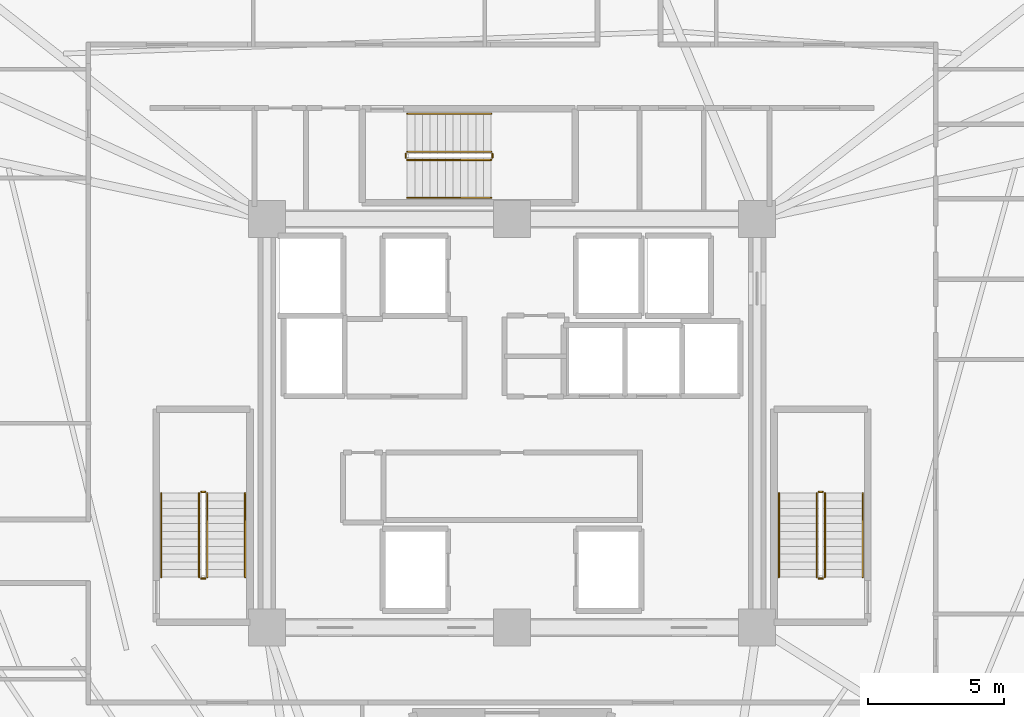
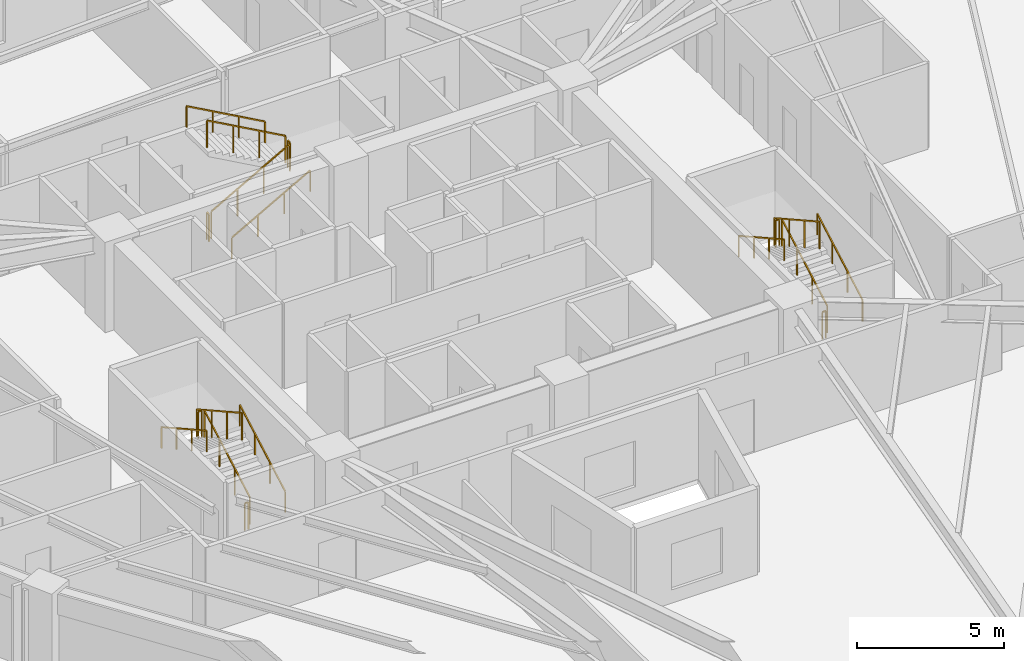
# One storey, part 8 of 8: 18 railings.
"""IFC4 building model written with IfcOpenShell, lengths in metres."""

from ifc_helpers import new_model, si_unit, direction, frame, origin, origin_2d, place, context, subcontext, project, spatial, rectangle, extrude, material, type_object, element, save


model = new_model("IFC4")

# Units and contexts
model_context = context("Model", 3, precision=1e-05, world=origin(), true_north=direction((0.0, 1.0)))
body_context = subcontext(model_context, "Body", "Model", "MODEL_VIEW")
ifc_project = project(units=[si_unit("LENGTHUNIT", "METRE"), si_unit("AREAUNIT", "SQUARE_METRE"), si_unit("VOLUMEUNIT", "CUBIC_METRE"), si_unit("PLANEANGLEUNIT", "RADIAN"), si_unit("MASSUNIT", "GRAM", prefix="KILO")], contexts=[model_context])

# Site, building, storey
site_placement = place(None, origin())
site = spatial("IfcSite", under=ifc_project, at=site_placement, CompositionType="ELEMENT")
building_placement = place(site_placement, origin())
building = spatial("IfcBuilding", under=site, at=building_placement, Name="Liaohun Quay Tower", CompositionType="ELEMENT")
storey_placement = place(building_placement, frame((0.0, 0.0, 255.0)))
storey = spatial("IfcBuildingStorey", under=building, at=storey_placement, Name="L66", CompositionType="ELEMENT", Elevation=255.0)

# Railings
ifc_material_1 = material(Name="Painted tubular steel", Category="steel")
railing_type_1 = type_object("IfcRailingType", Name="RLG-GUARD-STR", PredefinedType="GUARDRAIL", material=ifc_material_1)
railing_1_placement = place(storey_placement, frame((48.81005859375, 48.35009765625, 0.15625)))
element("IfcRailing", 1, at=railing_1_placement, inside=storey, type_object=railing_type_1, Name="L66 ST-1 stair guard 1", PredefinedType="GUARDRAIL", context=body_context, shape_type="SweptSolid", body=[
    extrude(rectangle(XDim=0.048095703125, YDim=0.048095703125, at=origin_2d()), frame((0.0, 0.0, 1.1259765625), z_axis=(0.0, 0.873225103656, 0.487317061414), x_axis=(-1.0, 0.0, 0.0)), (0.0, 0.0, 1.0), 3.52685546875),
    extrude(rectangle(XDim=0.0419921875, YDim=0.0419921875, at=origin_2d()), origin(), (0.0, 0.0, 1.0), 1.101806640625),
    extrude(rectangle(XDim=0.0419921875, YDim=0.0419921875, at=origin_2d()), frame((0.0, 1.026611328125, 0.572998046875)), (0.0, 0.0, 1.0), 1.101806640625),
    extrude(rectangle(XDim=0.0419921875, YDim=0.0419921875, at=origin_2d()), frame((0.0, 2.05322265625, 1.145751953125)), (0.0, 0.0, 1.0), 1.101806640625),
    extrude(rectangle(XDim=0.0419921875, YDim=0.0419921875, at=origin_2d()), frame((0.0, 3.079833984375, 1.71875)), (0.0, 0.0, 1.0), 1.101806640625),
])
railing_2_placement = place(storey_placement, frame((48.72998046875, 51.47998046875, 1.875)))
element("IfcRailing", 2, at=railing_2_placement, inside=storey, type_object=railing_type_1, Name="L66 ST-1 stair guard 2", PredefinedType="GUARDRAIL", context=body_context, shape_type="SweptSolid", body=[
    extrude(rectangle(XDim=0.048095703125, YDim=0.048095703125, at=origin_2d()), frame((0.0, 0.0, 1.1259765625), z_axis=(-1.0, 0.0, 0.0), x_axis=(0.0, -1.0, 0.0)), (0.0, 0.0, 1.0), 0.139892578125),
    extrude(rectangle(XDim=0.0419921875, YDim=0.0419921875, at=origin_2d()), origin(), (0.0, 0.0, 1.0), 1.101806640625),
    extrude(rectangle(XDim=0.0419921875, YDim=0.0419921875, at=origin_2d()), frame((-0.139892578125, 0.0, 0.0)), (0.0, 0.0, 1.0), 1.101806640625),
])
railing_3_placement = place(storey_placement, frame((48.510009765625, 51.429931640625, 2.03125)))
element("IfcRailing", 3, at=railing_3_placement, inside=storey, type_object=railing_type_1, Name="L66 ST-1 stair guard 3", PredefinedType="GUARDRAIL", context=body_context, shape_type="SweptSolid", body=[
    extrude(rectangle(XDim=0.048095703125, YDim=0.048095703125, at=origin_2d()), frame((0.0, 0.0, 1.1259765625), z_axis=(0.0, -0.873225103656, 0.487317061414), x_axis=(1.0, 0.0, 0.0)), (0.0, 0.0, 1.0), 3.52685546875),
    extrude(rectangle(XDim=0.0419921875, YDim=0.0419921875, at=origin_2d()), origin(), (0.0, 0.0, 1.0), 1.101806640625),
    extrude(rectangle(XDim=0.0419921875, YDim=0.0419921875, at=origin_2d()), frame((0.0, -1.026611328125, 0.572998046875)), (0.0, 0.0, 1.0), 1.101806640625),
    extrude(rectangle(XDim=0.0419921875, YDim=0.0419921875, at=origin_2d()), frame((0.0, -2.05322265625, 1.145751953125)), (0.0, 0.0, 1.0), 1.101806640625),
    extrude(rectangle(XDim=0.0419921875, YDim=0.0419921875, at=origin_2d()), frame((0.0, -3.079833984375, 1.71875)), (0.0, 0.0, 1.0), 1.101806640625),
])
railing_4_placement = place(storey_placement, frame((48.72998046875, 48.300048828125, 0.0)))
element("IfcRailing", 4, at=railing_4_placement, inside=storey, type_object=railing_type_1, Name="L66 ST-1 stair guard 4", PredefinedType="GUARDRAIL", context=body_context, shape_type="SweptSolid", body=[
    extrude(rectangle(XDim=0.048095703125, YDim=0.048095703125, at=origin_2d()), frame((0.0, 0.0, 1.1259765625), z_axis=(-1.0, 0.0, 0.0), x_axis=(0.0, -1.0, 0.0)), (0.0, 0.0, 1.0), 0.139892578125),
    extrude(rectangle(XDim=0.0419921875, YDim=0.0419921875, at=origin_2d()), origin(), (0.0, 0.0, 1.0), 1.101806640625),
    extrude(rectangle(XDim=0.0419921875, YDim=0.0419921875, at=origin_2d()), frame((-0.139892578125, 0.0, 0.0)), (0.0, 0.0, 1.0), 1.101806640625),
])
railing_5_placement = place(storey_placement, frame((71.489990234375, 48.35009765625, 0.15625)))
element("IfcRailing", 5, at=railing_5_placement, inside=storey, type_object=railing_type_1, Name="L66 ST-2 stair guard 1", PredefinedType="GUARDRAIL", context=body_context, shape_type="SweptSolid", body=[
    extrude(rectangle(XDim=0.048095703125, YDim=0.048095703125, at=origin_2d()), frame((0.0, 0.0, 1.1259765625), z_axis=(0.0, 0.873225103656, 0.487317061414), x_axis=(-1.0, 0.0, 0.0)), (0.0, 0.0, 1.0), 3.52685546875),
    extrude(rectangle(XDim=0.0419921875, YDim=0.0419921875, at=origin_2d()), origin(), (0.0, 0.0, 1.0), 1.101806640625),
    extrude(rectangle(XDim=0.0419921875, YDim=0.0419921875, at=origin_2d()), frame((0.0, 1.026611328125, 0.572998046875)), (0.0, 0.0, 1.0), 1.101806640625),
    extrude(rectangle(XDim=0.0419921875, YDim=0.0419921875, at=origin_2d()), frame((0.0, 2.05322265625, 1.145751953125)), (0.0, 0.0, 1.0), 1.101806640625),
    extrude(rectangle(XDim=0.0419921875, YDim=0.0419921875, at=origin_2d()), frame((0.0, 3.079833984375, 1.71875)), (0.0, 0.0, 1.0), 1.101806640625),
])
railing_6_placement = place(storey_placement, frame((71.409912109375, 51.47998046875, 1.875)))
element("IfcRailing", 6, at=railing_6_placement, inside=storey, type_object=railing_type_1, Name="L66 ST-2 stair guard 2", PredefinedType="GUARDRAIL", context=body_context, shape_type="SweptSolid", body=[
    extrude(rectangle(XDim=0.048095703125, YDim=0.048095703125, at=origin_2d()), frame((0.0, 0.0, 1.1259765625), z_axis=(-1.0, 0.0, 0.0), x_axis=(0.0, -1.0, 0.0)), (0.0, 0.0, 1.0), 0.139892578125),
    extrude(rectangle(XDim=0.0419921875, YDim=0.0419921875, at=origin_2d()), origin(), (0.0, 0.0, 1.0), 1.101806640625),
    extrude(rectangle(XDim=0.0419921875, YDim=0.0419921875, at=origin_2d()), frame((-0.139892578125, 0.0, 0.0)), (0.0, 0.0, 1.0), 1.101806640625),
])
railing_7_placement = place(storey_placement, frame((71.18994140625, 51.429931640625, 2.03125)))
element("IfcRailing", 7, at=railing_7_placement, inside=storey, type_object=railing_type_1, Name="L66 ST-2 stair guard 3", PredefinedType="GUARDRAIL", context=body_context, shape_type="SweptSolid", body=[
    extrude(rectangle(XDim=0.048095703125, YDim=0.048095703125, at=origin_2d()), frame((0.0, 0.0, 1.1259765625), z_axis=(0.0, -0.873225103656, 0.487317061414), x_axis=(1.0, 0.0, 0.0)), (0.0, 0.0, 1.0), 3.52685546875),
    extrude(rectangle(XDim=0.0419921875, YDim=0.0419921875, at=origin_2d()), origin(), (0.0, 0.0, 1.0), 1.101806640625),
    extrude(rectangle(XDim=0.0419921875, YDim=0.0419921875, at=origin_2d()), frame((0.0, -1.026611328125, 0.572998046875)), (0.0, 0.0, 1.0), 1.101806640625),
    extrude(rectangle(XDim=0.0419921875, YDim=0.0419921875, at=origin_2d()), frame((0.0, -2.05322265625, 1.145751953125)), (0.0, 0.0, 1.0), 1.101806640625),
    extrude(rectangle(XDim=0.0419921875, YDim=0.0419921875, at=origin_2d()), frame((0.0, -3.079833984375, 1.71875)), (0.0, 0.0, 1.0), 1.101806640625),
])
railing_8_placement = place(storey_placement, frame((71.409912109375, 48.300048828125, 0.0)))
element("IfcRailing", 8, at=railing_8_placement, inside=storey, type_object=railing_type_1, Name="L66 ST-2 stair guard 4", PredefinedType="GUARDRAIL", context=body_context, shape_type="SweptSolid", body=[
    extrude(rectangle(XDim=0.048095703125, YDim=0.048095703125, at=origin_2d()), frame((0.0, 0.0, 1.1259765625), z_axis=(-1.0, 0.0, 0.0), x_axis=(0.0, -1.0, 0.0)), (0.0, 0.0, 1.0), 0.139892578125),
    extrude(rectangle(XDim=0.0419921875, YDim=0.0419921875, at=origin_2d()), origin(), (0.0, 0.0, 1.0), 1.101806640625),
    extrude(rectangle(XDim=0.0419921875, YDim=0.0419921875, at=origin_2d()), frame((-0.139892578125, 0.0, 0.0)), (0.0, 0.0, 1.0), 1.101806640625),
])
railing_9_placement = place(storey_placement, frame((56.14990234375, 63.669921875, 0.15625)))
element("IfcRailing", 9, at=railing_9_placement, inside=storey, type_object=railing_type_1, Name="L66 ST-3 stair guard 1", PredefinedType="GUARDRAIL", context=body_context, shape_type="SweptSolid", body=[
    extrude(rectangle(XDim=0.048095703125, YDim=0.048095703125, at=origin_2d()), frame((0.0, 0.0, 1.1259765625), z_axis=(0.873241540666, 0.0, 0.487287606713), x_axis=(0.0, 1.0, 0.0)), (0.0, 0.0, 1.0), 3.527099609375),
    extrude(rectangle(XDim=0.0419921875, YDim=0.0419921875, at=origin_2d()), origin(), (0.0, 0.0, 1.0), 1.101806640625),
    extrude(rectangle(XDim=0.0419921875, YDim=0.0419921875, at=origin_2d()), frame((1.026611328125, 0.0, 0.572998046875)), (0.0, 0.0, 1.0), 1.101806640625),
    extrude(rectangle(XDim=0.0419921875, YDim=0.0419921875, at=origin_2d()), frame((2.053466796875, 0.0, 1.145751953125)), (0.0, 0.0, 1.0), 1.101806640625),
    extrude(rectangle(XDim=0.0419921875, YDim=0.0419921875, at=origin_2d()), frame((3.080078125, 0.0, 1.71875)), (0.0, 0.0, 1.0), 1.101806640625),
])
railing_10_placement = place(storey_placement, frame((59.280029296875, 63.75, 1.875)))
element("IfcRailing", 10, at=railing_10_placement, inside=storey, type_object=railing_type_1, Name="L66 ST-3 stair guard 2", PredefinedType="GUARDRAIL", context=body_context, shape_type="SweptSolid", body=[
    extrude(rectangle(XDim=0.048095703125, YDim=0.048095703125, at=origin_2d()), frame((0.0, 0.0, 1.1259765625), z_axis=(0.0, 1.0, 0.0), x_axis=(-1.0, 0.0, 0.0)), (0.0, 0.0, 1.0), 0.139892578125),
    extrude(rectangle(XDim=0.0419921875, YDim=0.0419921875, at=origin_2d()), origin(), (0.0, 0.0, 1.0), 1.101806640625),
    extrude(rectangle(XDim=0.0419921875, YDim=0.0419921875, at=origin_2d()), frame((0.0, 0.139892578125, 0.0)), (0.0, 0.0, 1.0), 1.101806640625),
])
railing_11_placement = place(storey_placement, frame((59.22998046875, 63.969970703125, 2.03125)))
element("IfcRailing", 11, at=railing_11_placement, inside=storey, type_object=railing_type_1, Name="L66 ST-3 stair guard 3", PredefinedType="GUARDRAIL", context=body_context, shape_type="SweptSolid", body=[
    extrude(rectangle(XDim=0.048095703125, YDim=0.048095703125, at=origin_2d()), frame((0.0, 0.0, 1.1259765625), z_axis=(-0.873241540666, 0.0, 0.487287606713), x_axis=(0.0, -1.0, 0.0)), (0.0, 0.0, 1.0), 3.527099609375),
    extrude(rectangle(XDim=0.0419921875, YDim=0.0419921875, at=origin_2d()), origin(), (0.0, 0.0, 1.0), 1.101806640625),
    extrude(rectangle(XDim=0.0419921875, YDim=0.0419921875, at=origin_2d()), frame((-1.026611328125, 0.0, 0.572998046875)), (0.0, 0.0, 1.0), 1.101806640625),
    extrude(rectangle(XDim=0.0419921875, YDim=0.0419921875, at=origin_2d()), frame((-2.053466796875, 0.0, 1.145751953125)), (0.0, 0.0, 1.0), 1.101806640625),
    extrude(rectangle(XDim=0.0419921875, YDim=0.0419921875, at=origin_2d()), frame((-3.080078125, 0.0, 1.71875)), (0.0, 0.0, 1.0), 1.101806640625),
])
railing_12_placement = place(storey_placement, frame((56.10009765625, 63.75, 0.0)))
element("IfcRailing", 12, at=railing_12_placement, inside=storey, type_object=railing_type_1, Name="L66 ST-3 stair guard 4", PredefinedType="GUARDRAIL", context=body_context, shape_type="SweptSolid", body=[
    extrude(rectangle(XDim=0.048095703125, YDim=0.048095703125, at=origin_2d()), frame((0.0, 0.0, 1.1259765625), z_axis=(0.0, 1.0, 0.0), x_axis=(-1.0, 0.0, 0.0)), (0.0, 0.0, 1.0), 0.139892578125),
    extrude(rectangle(XDim=0.0419921875, YDim=0.0419921875, at=origin_2d()), origin(), (0.0, 0.0, 1.0), 1.101806640625),
    extrude(rectangle(XDim=0.0419921875, YDim=0.0419921875, at=origin_2d()), frame((0.0, 0.139892578125, 0.0)), (0.0, 0.0, 1.0), 1.101806640625),
])
ifc_material_2 = material(Name="Brushed stainless steel", Category="steel")
railing_type_2 = type_object("IfcRailingType", Name="RLG-HND-STR", PredefinedType="HANDRAIL", material=ifc_material_2)
railing_13_placement = place(storey_placement, frame((50.199951171875, 48.35009765625, 0.15625)))
element("IfcRailing", 13, at=railing_13_placement, inside=storey, type_object=railing_type_2, Name="L66 ST-1 stair handrail 1", PredefinedType="HANDRAIL", context=body_context, shape_type="SweptSolid", body=[
    extrude(rectangle(XDim=0.048095703125, YDim=0.048095703125, at=origin_2d()), frame((0.0, 0.0, 0.8759765625), z_axis=(0.0, 0.873225103656, 0.487317061414), x_axis=(-1.0, 0.0, 0.0)), (0.0, 0.0, 1.0), 3.52685546875),
    extrude(rectangle(XDim=0.0419921875, YDim=0.0419921875, at=origin_2d()), origin(), (0.0, 0.0, 1.0), 0.851806640625),
    extrude(rectangle(XDim=0.0419921875, YDim=0.0419921875, at=origin_2d()), frame((0.0, 1.026611328125, 0.572998046875)), (0.0, 0.0, 1.0), 0.851806640625),
    extrude(rectangle(XDim=0.0419921875, YDim=0.0419921875, at=origin_2d()), frame((0.0, 2.05322265625, 1.145751953125)), (0.0, 0.0, 1.0), 0.851806640625),
    extrude(rectangle(XDim=0.0419921875, YDim=0.0419921875, at=origin_2d()), frame((0.0, 3.079833984375, 1.71875)), (0.0, 0.0, 1.0), 0.851806640625),
])
railing_14_placement = place(storey_placement, frame((47.1201171875, 51.429931640625, 2.03125)))
element("IfcRailing", 14, at=railing_14_placement, inside=storey, type_object=railing_type_2, Name="L66 ST-1 stair handrail 2", PredefinedType="HANDRAIL", context=body_context, shape_type="SweptSolid", body=[
    extrude(rectangle(XDim=0.048095703125, YDim=0.048095703125, at=origin_2d()), frame((0.0, 0.0, 0.8759765625), z_axis=(0.0, -0.873225103656, 0.487317061414), x_axis=(1.0, 0.0, 0.0)), (0.0, 0.0, 1.0), 3.52685546875),
    extrude(rectangle(XDim=0.0419921875, YDim=0.0419921875, at=origin_2d()), origin(), (0.0, 0.0, 1.0), 0.851806640625),
    extrude(rectangle(XDim=0.0419921875, YDim=0.0419921875, at=origin_2d()), frame((0.0, -1.026611328125, 0.572998046875)), (0.0, 0.0, 1.0), 0.851806640625),
    extrude(rectangle(XDim=0.0419921875, YDim=0.0419921875, at=origin_2d()), frame((0.0, -2.05322265625, 1.145751953125)), (0.0, 0.0, 1.0), 0.851806640625),
    extrude(rectangle(XDim=0.0419921875, YDim=0.0419921875, at=origin_2d()), frame((0.0, -3.079833984375, 1.71875)), (0.0, 0.0, 1.0), 0.851806640625),
])
railing_15_placement = place(storey_placement, frame((72.8798828125, 48.35009765625, 0.15625)))
element("IfcRailing", 15, at=railing_15_placement, inside=storey, type_object=railing_type_2, Name="L66 ST-2 stair handrail 1", PredefinedType="HANDRAIL", context=body_context, shape_type="SweptSolid", body=[
    extrude(rectangle(XDim=0.048095703125, YDim=0.048095703125, at=origin_2d()), frame((0.0, 0.0, 0.8759765625), z_axis=(0.0, 0.873225103656, 0.487317061414), x_axis=(-1.0, 0.0, 0.0)), (0.0, 0.0, 1.0), 3.52685546875),
    extrude(rectangle(XDim=0.0419921875, YDim=0.0419921875, at=origin_2d()), origin(), (0.0, 0.0, 1.0), 0.851806640625),
    extrude(rectangle(XDim=0.0419921875, YDim=0.0419921875, at=origin_2d()), frame((0.0, 1.026611328125, 0.572998046875)), (0.0, 0.0, 1.0), 0.851806640625),
    extrude(rectangle(XDim=0.0419921875, YDim=0.0419921875, at=origin_2d()), frame((0.0, 2.05322265625, 1.145751953125)), (0.0, 0.0, 1.0), 0.851806640625),
    extrude(rectangle(XDim=0.0419921875, YDim=0.0419921875, at=origin_2d()), frame((0.0, 3.079833984375, 1.71875)), (0.0, 0.0, 1.0), 0.851806640625),
])
railing_16_placement = place(storey_placement, frame((69.800048828125, 51.429931640625, 2.03125)))
element("IfcRailing", 16, at=railing_16_placement, inside=storey, type_object=railing_type_2, Name="L66 ST-2 stair handrail 2", PredefinedType="HANDRAIL", context=body_context, shape_type="SweptSolid", body=[
    extrude(rectangle(XDim=0.048095703125, YDim=0.048095703125, at=origin_2d()), frame((0.0, 0.0, 0.8759765625), z_axis=(0.0, -0.873225103656, 0.487317061414), x_axis=(1.0, 0.0, 0.0)), (0.0, 0.0, 1.0), 3.52685546875),
    extrude(rectangle(XDim=0.0419921875, YDim=0.0419921875, at=origin_2d()), origin(), (0.0, 0.0, 1.0), 0.851806640625),
    extrude(rectangle(XDim=0.0419921875, YDim=0.0419921875, at=origin_2d()), frame((0.0, -1.026611328125, 0.572998046875)), (0.0, 0.0, 1.0), 0.851806640625),
    extrude(rectangle(XDim=0.0419921875, YDim=0.0419921875, at=origin_2d()), frame((0.0, -2.05322265625, 1.145751953125)), (0.0, 0.0, 1.0), 0.851806640625),
    extrude(rectangle(XDim=0.0419921875, YDim=0.0419921875, at=origin_2d()), frame((0.0, -3.079833984375, 1.71875)), (0.0, 0.0, 1.0), 0.851806640625),
])
railing_17_placement = place(storey_placement, frame((56.14990234375, 62.280029296875, 0.15625)))
element("IfcRailing", 17, at=railing_17_placement, inside=storey, type_object=railing_type_2, Name="L66 ST-3 stair handrail 1", PredefinedType="HANDRAIL", context=body_context, shape_type="SweptSolid", body=[
    extrude(rectangle(XDim=0.048095703125, YDim=0.048095703125, at=origin_2d()), frame((0.0, 0.0, 0.8759765625), z_axis=(0.873241540666, 0.0, 0.487287606713), x_axis=(0.0, 1.0, 0.0)), (0.0, 0.0, 1.0), 3.527099609375),
    extrude(rectangle(XDim=0.0419921875, YDim=0.0419921875, at=origin_2d()), origin(), (0.0, 0.0, 1.0), 0.851806640625),
    extrude(rectangle(XDim=0.0419921875, YDim=0.0419921875, at=origin_2d()), frame((1.026611328125, 0.0, 0.572998046875)), (0.0, 0.0, 1.0), 0.851806640625),
    extrude(rectangle(XDim=0.0419921875, YDim=0.0419921875, at=origin_2d()), frame((2.053466796875, 0.0, 1.145751953125)), (0.0, 0.0, 1.0), 0.851806640625),
    extrude(rectangle(XDim=0.0419921875, YDim=0.0419921875, at=origin_2d()), frame((3.080078125, 0.0, 1.71875)), (0.0, 0.0, 1.0), 0.851806640625),
])
railing_18_placement = place(storey_placement, frame((59.22998046875, 65.360107421875, 2.03125)))
element("IfcRailing", 18, at=railing_18_placement, inside=storey, type_object=railing_type_2, Name="L66 ST-3 stair handrail 2", PredefinedType="HANDRAIL", context=body_context, shape_type="SweptSolid", body=[
    extrude(rectangle(XDim=0.048095703125, YDim=0.048095703125, at=origin_2d()), frame((0.0, 0.0, 0.8759765625), z_axis=(-0.873241540666, 0.0, 0.487287606713), x_axis=(0.0, -1.0, 0.0)), (0.0, 0.0, 1.0), 3.527099609375),
    extrude(rectangle(XDim=0.0419921875, YDim=0.0419921875, at=origin_2d()), origin(), (0.0, 0.0, 1.0), 0.851806640625),
    extrude(rectangle(XDim=0.0419921875, YDim=0.0419921875, at=origin_2d()), frame((-1.026611328125, 0.0, 0.572998046875)), (0.0, 0.0, 1.0), 0.851806640625),
    extrude(rectangle(XDim=0.0419921875, YDim=0.0419921875, at=origin_2d()), frame((-2.053466796875, 0.0, 1.145751953125)), (0.0, 0.0, 1.0), 0.851806640625),
    extrude(rectangle(XDim=0.0419921875, YDim=0.0419921875, at=origin_2d()), frame((-3.080078125, 0.0, 1.71875)), (0.0, 0.0, 1.0), 0.851806640625),
])

save(model, "model.ifc")
